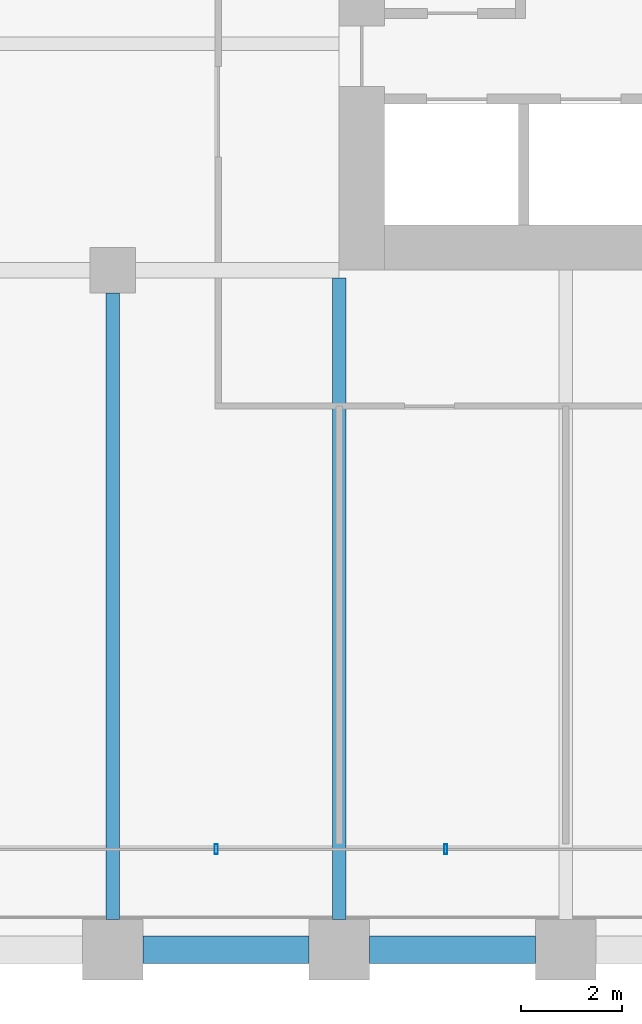
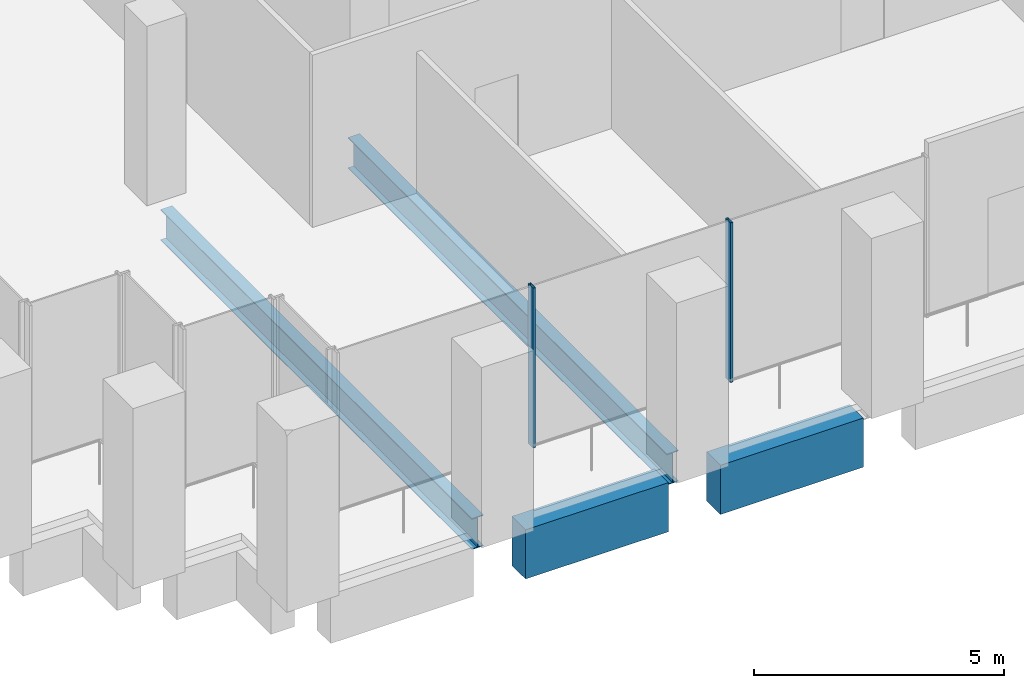
# One storey, part 3 of 36: 4 beams, 2 members, 1 element without a shape of its own.
"""IFC4 building model written with IfcOpenShell, lengths in metres."""

from ifc_helpers import new_model, si_unit, direction, frame, origin, origin_2d, place, context, subcontext, project, spatial, rectangle, hollow_rectangle, i_section, extrude, material, material_profile, profile_set, type_object, element, aggregate, save


model = new_model("IFC4")

# Units and contexts
model_context = context("Model", 3, precision=1e-05, world=origin(), true_north=direction((0.0, 1.0)))
body_context = subcontext(model_context, "Body", "Model", "MODEL_VIEW")
ifc_project = project(units=[si_unit("LENGTHUNIT", "METRE"), si_unit("AREAUNIT", "SQUARE_METRE"), si_unit("VOLUMEUNIT", "CUBIC_METRE"), si_unit("PLANEANGLEUNIT", "RADIAN"), si_unit("MASSUNIT", "GRAM", prefix="KILO")], contexts=[model_context])

# Site, building, storey
site_placement = place(None, origin())
site = spatial("IfcSite", under=ifc_project, at=site_placement, CompositionType="ELEMENT")
building_placement = place(site_placement, origin())
building = spatial("IfcBuilding", under=site, at=building_placement, Name="Altepetl Exchange Towers", CompositionType="ELEMENT")
storey_placement = place(building_placement, frame((0.0, 0.0, 38.60009765625)))
storey = spatial("IfcBuildingStorey", under=building, at=storey_placement, Name="L08", CompositionType="ELEMENT", Elevation=38.60009765625)

# Beams
ifc_material_1 = material(Name="Steel S355", Category="steel")
ifc_material_profile_1 = material_profile(ifc_material_1, i_section(OverallWidth=0.26611328125, OverallDepth=0.758056640625, WebThickness=0.013916015625, FlangeThickness=0.019287109375, at=origin_2d()), Name="W30X108")
ifc_profile_set_1 = profile_set([ifc_material_profile_1], Name="Steel S355")
beam_type_1 = type_object("IfcBeamType", Name="Floor beam W30X108", PredefinedType="BEAM", material=ifc_profile_set_1)
beam_1_placement = place(storey_placement, frame((36.0, 27.60009765625, -0.55419921875), z_axis=(0.0, 1.0, 0.0), x_axis=(-1.0, 0.0, 0.0)))
element("IfcBeam", 1, at=beam_1_placement, inside=storey, type_object=beam_type_1, Name="bm:A:L08:013", PredefinedType="BEAM", context=body_context, shape_type="SweptSolid", body=[
    extrude(i_section(OverallWidth=0.26611328125, OverallDepth=0.758056640625, WebThickness=0.013916015625, FlangeThickness=0.019287109375, at=origin_2d()), origin(), (0.0, 0.0, 1.0), 12.449951171875),
])
beam_2_placement = place(storey_placement, frame((40.5, 27.60009765625, -0.55419921875), z_axis=(0.0, 1.0, 0.0), x_axis=(-1.0, 0.0, 0.0)))
element("IfcBeam", 2, at=beam_2_placement, inside=storey, type_object=beam_type_1, Name="bm:A:L08:014", PredefinedType="BEAM", context=body_context, shape_type="SweptSolid", body=[
    extrude(i_section(OverallWidth=0.26611328125, OverallDepth=0.758056640625, WebThickness=0.013916015625, FlangeThickness=0.019287109375, at=origin_2d()), origin(), (0.0, 0.0, 1.0), 12.745849609375),
])

# Curtain wall, members
ifc_material_2 = material(Name="Aluminium 6063-T6 glazing", Category="aluminium")
curtain_wall_type = type_object("IfcCurtainWallType", Name="Trading floor glazing system", PredefinedType="NOTDEFINED", material=ifc_material_2)
curtain_wall_placement = place(storey_placement, origin())
curtain_wall = element("IfcCurtainWall", 3, at=curtain_wall_placement, inside=storey, type_object=curtain_wall_type, Name="CW2 run", PredefinedType="NOTDEFINED")
ifc_material_3 = material(Name="Aluminium 6063-T6", Category="aluminium")
ifc_material_profile_2 = material_profile(ifc_material_3, hollow_rectangle(XDim=0.06005859375, YDim=0.199951171875, WallThickness=0.0029296875, at=origin_2d()), Name="Mullion 60x200 aluminium")
ifc_profile_set_2 = profile_set([ifc_material_profile_2], Name="Aluminium 6063-T6")
member_type = type_object("IfcMemberType", Name="Mullion 60x200 aluminium", PredefinedType="MULLION", material=ifc_profile_set_2)
member_1_placement = place(storey_placement, frame((38.05712890625, 29.0, 0.0)))
member_1 = element("IfcMember", 4, at=member_1_placement, type_object=member_type, Name="MU2 mullion", PredefinedType="MULLION", context=body_context, shape_type="SweptSolid", body=[
    extrude(hollow_rectangle(XDim=0.06005859375, YDim=0.199951171875, WallThickness=0.0029296875, at=origin_2d()), origin(), (0.0, 0.0, 1.0), 3.89990234375),
])
member_2_placement = place(storey_placement, frame((42.6142578125, 29.0, 0.0)))
member_2 = element("IfcMember", 5, at=member_2_placement, type_object=member_type, Name="MU2 mullion", PredefinedType="MULLION", context=body_context, shape_type="SweptSolid", body=[
    extrude(hollow_rectangle(XDim=0.06005859375, YDim=0.199951171875, WallThickness=0.0029296875, at=origin_2d()), origin(), (0.0, 0.0, 1.0), 3.89990234375),
])
aggregate(curtain_wall, [member_1, member_2])

# Beams
ifc_material_4 = material(Name="Concrete C50/60 precast with cantera blanca facing", Category="concrete")
ifc_material_profile_3 = material_profile(ifc_material_4, rectangle(XDim=0.550048828125, YDim=1.199951171875, at=origin_2d()), Name="550 x 1200")
ifc_profile_set_3 = profile_set([ifc_material_profile_3], Name="Concrete C50/60 precast with cantera blanca facing")
beam_type_2 = type_object("IfcBeamType", Name="Spandrel beam 550x1200 cantera blanca", PredefinedType="SPANDREL", material=ifc_profile_set_3)
for number, where, z_axis, x_axis, name in (
    (6, (36.60009765625, 27.0, -0.775146484375), (1.0, 0.0, 0.0), (0.0, 1.0, 0.0), "sp:A:L08:001"),
    (7, (41.10009765625, 27.0, -0.775146484375), (1.0, 0.0, 0.0), (0.0, 1.0, 0.0), "sp:A:L08:002"),
):
    element("IfcBeam", number, at=place(storey_placement, frame(where, z_axis=z_axis, x_axis=x_axis)), inside=storey, type_object=beam_type_2, Name=name, PredefinedType="SPANDREL", context=body_context, shape_type="SweptSolid", body=[
        extrude(rectangle(XDim=0.550048828125, YDim=1.199951171875, at=origin_2d()), origin(), (0.0, 0.0, 1.0), 3.2998046875),
    ])

save(model, "model.ifc")
